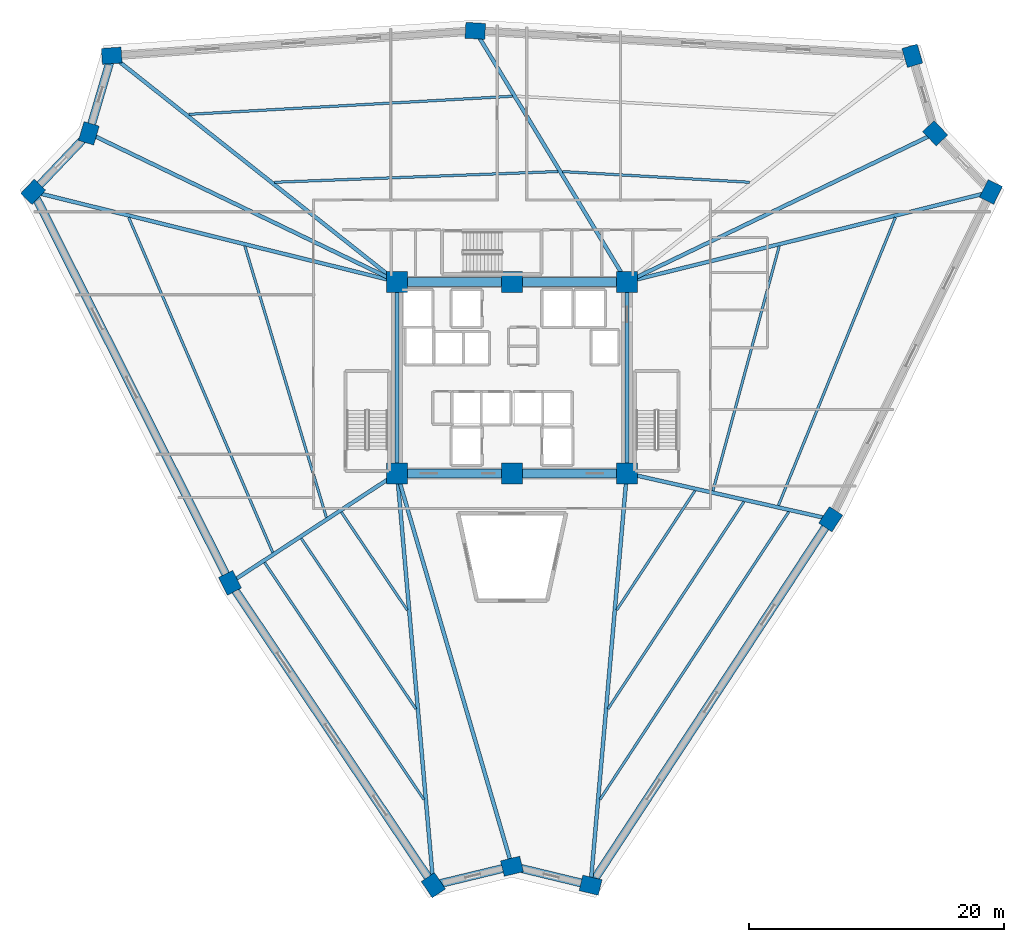
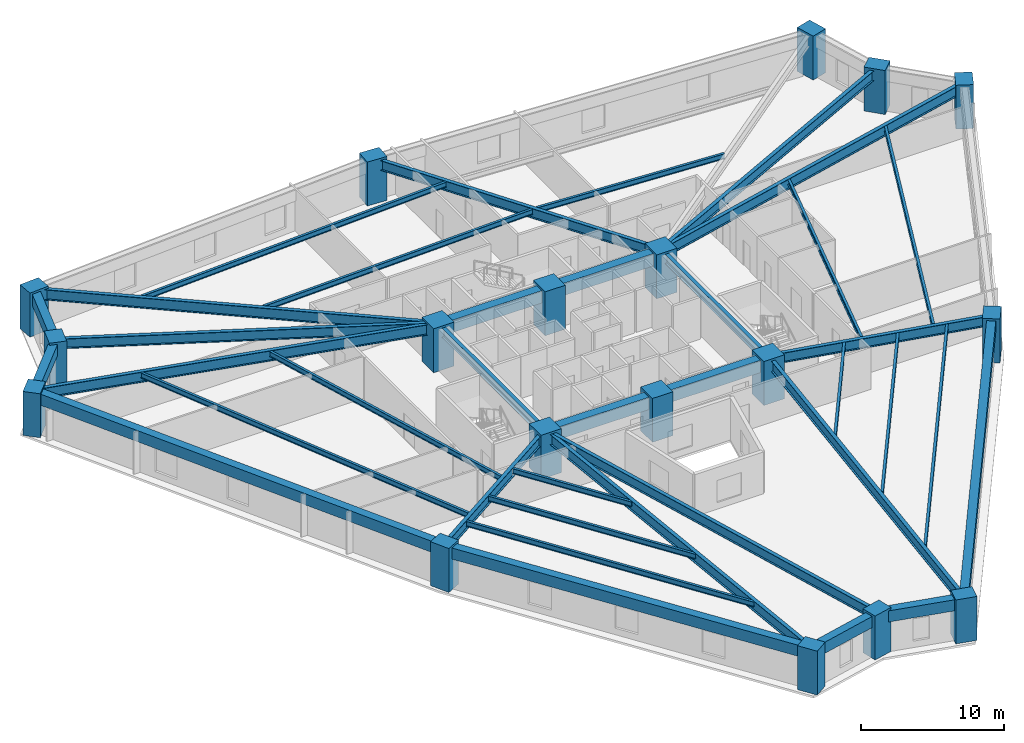
# One storey, part 1 of 8: 37 beams, 18 columns.
"""IFC4 building model written with IfcOpenShell, lengths in metres."""

from ifc_helpers import new_model, si_unit, direction, frame, origin, origin_2d, place, context, subcontext, project, spatial, rectangle, i_section, extrude, source, transform, mapped, material, material_profile, profile_set, type_object, element, save


model = new_model("IFC4")

# Units and contexts
model_context = context("Model", 3, precision=1e-05, world=origin(), true_north=direction((0.0, 1.0)))
body_context = subcontext(model_context, "Body", "Model", "MODEL_VIEW")
ifc_project = project(units=[si_unit("LENGTHUNIT", "METRE"), si_unit("AREAUNIT", "SQUARE_METRE"), si_unit("VOLUMEUNIT", "CUBIC_METRE"), si_unit("PLANEANGLEUNIT", "RADIAN"), si_unit("MASSUNIT", "GRAM", prefix="KILO")], contexts=[model_context])

# Site, building, storey
site_placement = place(None, origin())
site = spatial("IfcSite", under=ifc_project, at=site_placement, CompositionType="ELEMENT")
building_placement = place(site_placement, origin())
building = spatial("IfcBuilding", under=site, at=building_placement, Name="Liaohun Quay Tower", CompositionType="ELEMENT")
storey_placement = place(building_placement, frame((0.0, 0.0, 85.5)))
storey = spatial("IfcBuildingStorey", under=building, at=storey_placement, Name="L22", CompositionType="ELEMENT", Elevation=85.5)

# Columns
ifc_material_1 = material(Name="Concrete C60", Category="concrete")
ifc_material_profile_1 = material_profile(ifc_material_1, rectangle(XDim=1.64990234375, YDim=1.64990234375, at=origin_2d()), Name="RC1650x1650")
ifc_profile_set_1 = profile_set([ifc_material_profile_1], Name="Concrete C60")
column_type_1 = type_object("IfcColumnType", Name="COL-CC-Z1", PredefinedType="COLUMN", material=ifc_profile_set_1)
shared_shape_1 = source(origin(), body_context, "Body", "SweptSolid", [
    extrude(rectangle(XDim=1.64990234375, YDim=1.64990234375, at=origin_2d()), origin(), (0.0, 0.0, 1.0), 3.75),
])
for number, where, z_axis, x_axis, name in (
    (1, (51.0, 46.5, 0.0), (0.0, 0.0, 1.0), (1.0, 0.0, 0.0), "L22 Core Column CC1"),
    (2, (60.0, 46.5, 0.0), (0.0, 0.0, 1.0), (1.0, 0.0, 0.0), "L22 Core Column CC2"),
    (3, (69.0, 46.5, 0.0), (0.0, 0.0, 1.0), (1.0, 0.0, 0.0), "L22 Core Column CC3"),
    (4, (69.0, 61.5, 0.0), (0.0, 0.0, 1.0), (1.0, 0.0, 0.0), "L22 Core Column CC4"),
    (5, (60.0, 61.5, 0.0), (0.0, 0.0, 1.0), (1.0, 0.0, 0.0), "L22 Core Column CC5"),
    (6, (51.0, 61.5, 0.0), (0.0, 0.0, 1.0), (1.0, 0.0, 0.0), "L22 Core Column CC6"),
):
    element("IfcColumn", number, at=place(storey_placement, frame(where, z_axis=z_axis, x_axis=x_axis)), inside=storey, type_object=column_type_1, Name=name, PredefinedType="COLUMN", context=body_context, shape_type="MappedRepresentation", body=[
        mapped(shared_shape_1, transform((0.0, 0.0, 0.0), x_axis=(1.0, 0.0, 0.0), y_axis=(0.0, 1.0, 0.0), z_axis=(0.0, 0.0, 1.0), scale=1.0)),
    ])
ifc_material_profile_2 = material_profile(ifc_material_1, rectangle(XDim=1.550048828125, YDim=1.25, at=origin_2d()), Name="RC1550x1250")
ifc_profile_set_2 = profile_set([ifc_material_profile_2], Name="Concrete C60")
column_type_2 = type_object("IfcColumnType", Name="COL-PIER-Z1", PredefinedType="COLUMN", material=ifc_profile_set_2)
shared_shape_2 = source(origin(), body_context, "Body", "SweptSolid", [
    extrude(rectangle(XDim=1.550048828125, YDim=1.25, at=origin_2d()), origin(), (0.0, 0.0, 1.0), 3.75),
])
for number, where, z_axis, x_axis, name in (
    (7, (53.837890625, 14.22705078125, 0.0), (0.0, 0.0, 1.0), (-0.557889964956, 0.829914927569, 0.0), "L22 Perimeter Pier PC01"),
    (8, (37.908935546875, 37.925048828125, 0.0), (0.0, 0.0, 1.0), (-0.449942579956, 0.893057486807, 0.0), "L22 Perimeter Pier PC02"),
    (9, (22.47900390625, 68.554931640625, 0.0), (0.0, 0.0, 1.0), (0.68936671806, 0.724412539946, 0.0), "L22 Perimeter Pier PC03"),
    (10, (26.844970703125, 73.14208984375, 0.0), (0.0, 0.0, 1.0), (0.282676303383, 0.959215360337, 0.0), "L22 Perimeter Pier PC04"),
    (11, (28.636962890625, 79.221923828125, 0.0), (0.0, 0.0, 1.0), (0.997672392732, 0.068189418384, 0.0), "L22 Perimeter Pier PC05"),
    (12, (57.1240234375, 81.16796875, 0.0), (0.0, 0.0, 1.0), (-0.998381760593, 0.056867038918, 0.0), "L22 Perimeter Pier PC06"),
    (13, (91.364990234375, 79.215087890625, 0.0), (0.0, 0.0, 1.0), (-0.282676303383, 0.959215360337, 0.0), "L22 Perimeter Pier PC07"),
    (14, (93.155029296875, 73.14208984375, 0.0), (0.0, 0.0, 1.0), (-0.68936671806, 0.724412539946, 0.0), "L22 Perimeter Pier PC08"),
    (15, (97.52490234375, 68.550048828125, 0.0), (0.0, 0.0, 1.0), (0.439782427776, 0.898104345953, 0.0), "L22 Perimeter Pier PC09"),
    (16, (84.967041015625, 42.906982421875, 0.0), (0.0, 0.0, 1.0), (0.548439180637, 0.83619044789, 0.0), "L22 Perimeter Pier PC10"),
    (17, (66.155029296875, 14.22900390625, 0.0), (0.0, 0.0, 1.0), (-0.972043021443, 0.234802820391, 0.0), "L22 Perimeter Pier PC11"),
    (18, (60.0, 15.715087890625, 0.0), (0.0, 0.0, 1.0), (0.972043021443, 0.234802820391, 0.0), "L22 Perimeter Pier PC12"),
):
    element("IfcColumn", number, at=place(storey_placement, frame(where, z_axis=z_axis, x_axis=x_axis)), inside=storey, type_object=column_type_2, Name=name, PredefinedType="COLUMN", context=body_context, shape_type="MappedRepresentation", body=[
        mapped(shared_shape_2, transform((0.0, 0.0, 0.0), x_axis=(1.0, 0.0, 0.0), y_axis=(0.0, 1.0, 0.0), z_axis=(0.0, 0.0, 1.0), scale=1.0)),
    ])

# Beams
ifc_material_profile_3 = material_profile(ifc_material_1, rectangle(XDim=0.699951171875, YDim=1.050048828125, at=origin_2d()), Name="RC700x1050")
ifc_profile_set_3 = profile_set([ifc_material_profile_3], Name="Concrete C60")
beam_type_1 = type_object("IfcBeamType", Name="BM-CPL-1", PredefinedType="LINTEL", material=ifc_profile_set_3)
shared_shape_3 = source(origin(), body_context, "Body", "SweptSolid", [
    extrude(rectangle(XDim=0.699951171875, YDim=1.050048828125, at=origin_2d()), origin(), (0.0, 0.0, 1.0), 9.0),
])
for number, where, z_axis, x_axis, name in (
    (19, (51.0, 46.5, 3.044921875), (1.0, 0.0, 0.0), (0.0, 1.0, 0.0), "L22 Core Coupling/Ring Beam CC1-CC2"),
    (20, (60.0, 46.5, 3.044921875), (1.0, 0.0, 0.0), (0.0, 1.0, 0.0), "L22 Core Coupling/Ring Beam CC2-CC3"),
    (21, (69.0, 61.5, 3.044921875), (-1.0, 0.0, 0.0), (0.0, -1.0, 0.0), "L22 Core Coupling/Ring Beam CC4-CC5"),
    (22, (60.0, 61.5, 3.044921875), (-1.0, 0.0, 0.0), (0.0, -1.0, 0.0), "L22 Core Coupling/Ring Beam CC5-CC6"),
):
    element("IfcBeam", number, at=place(storey_placement, frame(where, z_axis=z_axis, x_axis=x_axis)), inside=storey, type_object=beam_type_1, Name=name, PredefinedType="LINTEL", context=body_context, shape_type="MappedRepresentation", body=[
        mapped(shared_shape_3, transform((0.0, 0.0, 0.0), x_axis=(1.0, 0.0, 0.0), y_axis=(0.0, 1.0, 0.0), z_axis=(0.0, 0.0, 1.0), scale=1.0)),
    ])
ifc_material_2 = material(Name="Steel Q355D", Category="steel")
ifc_material_profile_4 = material_profile(ifc_material_2, i_section(OverallWidth=0.300048828125, OverallDepth=0.800048828125, WebThickness=0.013916015625, FlangeThickness=0.02587890625, at=origin_2d()), Name="HN800x300x14x26")
ifc_profile_set_4 = profile_set([ifc_material_profile_4], Name="Steel Q355D")
beam_type_2 = type_object("IfcBeamType", Name="BM-RAD-M1", PredefinedType="BEAM", material=ifc_profile_set_4)
shared_shape_4 = source(origin(), body_context, "Body", "SweptSolid", [
    extrude(i_section(OverallWidth=0.300048828125, OverallDepth=0.800048828125, WebThickness=0.013916015625, FlangeThickness=0.02587890625, at=origin_2d()), origin(), (0.0, 0.0, 1.0), 15.0),
])
for number, where, z_axis, x_axis, name in (
    (23, (69.0, 46.5, 3.169921875), (0.0, 1.0, 0.0), (-1.0, 0.0, 0.0), "L22 Core Coupling/Ring Beam CC3-CC4"),
    (24, (51.0, 61.5, 3.169921875), (0.0, -1.0, 0.0), (1.0, 0.0, 0.0), "L22 Core Coupling/Ring Beam CC6-CC1"),
):
    element("IfcBeam", number, at=place(storey_placement, frame(where, z_axis=z_axis, x_axis=x_axis)), inside=storey, type_object=beam_type_2, Name=name, PredefinedType="BEAM", context=body_context, shape_type="MappedRepresentation", body=[
        mapped(shared_shape_4, transform((0.0, 0.0, 0.0), x_axis=(1.0, 0.0, 0.0), y_axis=(0.0, 1.0, 0.0), z_axis=(0.0, 0.0, 1.0), scale=1.0)),
    ])
ifc_material_3 = material(Name="Steel Q420D", Category="steel")
ifc_material_profile_5 = material_profile(ifc_material_3, i_section(OverallWidth=0.300048828125, OverallDepth=0.89990234375, WebThickness=0.01611328125, FlangeThickness=0.028076171875, at=origin_2d()), Name="HN900x300x16x28")
ifc_profile_set_5 = profile_set([ifc_material_profile_5], Name="Steel Q420D")
beam_type_3 = type_object("IfcBeamType", Name="BM-RAD-H1", PredefinedType="BEAM", material=ifc_profile_set_5)
shared_shape_5 = source(origin(), body_context, "Body", "SweptSolid", [
    extrude(i_section(OverallWidth=0.300048828125, OverallDepth=0.89990234375, WebThickness=0.01611328125, FlangeThickness=0.028076171875, at=origin_2d()), origin(), (0.0, 0.0, 1.0), 32.3974609375),
])
beam_1_placement = place(storey_placement, frame((51.0, 46.5, 3.1201171875), z_axis=(0.087596022997, -0.996156080519, 0.0), x_axis=(0.996156080519, 0.087596022997, 0.0)))
element("IfcBeam", 25, at=beam_1_placement, inside=storey, type_object=beam_type_3, Name="L22 Radial Primary Girder CC1-PC01", PredefinedType="BEAM", context=body_context, shape_type="MappedRepresentation", body=[
    mapped(shared_shape_5, transform((0.0, 0.0, 0.0), x_axis=(1.0, 0.0, 0.0), y_axis=(0.0, 1.0, 0.0), z_axis=(0.0, 0.0, 1.0), scale=1.0)),
])
ifc_material_profile_6 = material_profile(ifc_material_2, i_section(OverallWidth=0.300048828125, OverallDepth=0.85009765625, WebThickness=0.01611328125, FlangeThickness=0.028076171875, at=origin_2d()), Name="HN850x300x16x28")
ifc_profile_set_6 = profile_set([ifc_material_profile_6], Name="Steel Q355D")
beam_type_4 = type_object("IfcBeamType", Name="BM-RAD-H2", PredefinedType="BEAM", material=ifc_profile_set_6)
shared_shape_6 = source(origin(), body_context, "Body", "SweptSolid", [
    extrude(i_section(OverallWidth=0.300048828125, OverallDepth=0.85009765625, WebThickness=0.01611328125, FlangeThickness=0.028076171875, at=origin_2d()), origin(), (0.0, 0.0, 1.0), 15.6494140625),
])
beam_2_placement = place(storey_placement, frame((51.0, 46.5, 3.14501953125), z_axis=(-0.836518335776, -0.547938932647, 0.0), x_axis=(0.547938932647, -0.836518335776, 0.0)))
element("IfcBeam", 26, at=beam_2_placement, inside=storey, type_object=beam_type_4, Name="L22 Radial Primary Girder CC1-PC02", PredefinedType="BEAM", context=body_context, shape_type="MappedRepresentation", body=[
    mapped(shared_shape_6, transform((0.0, 0.0, 0.0), x_axis=(1.0, 0.0, 0.0), y_axis=(0.0, 1.0, 0.0), z_axis=(0.0, 0.0, 1.0), scale=1.0)),
])
shared_shape_7 = source(origin(), body_context, "Body", "SweptSolid", [
    extrude(i_section(OverallWidth=0.300048828125, OverallDepth=0.89990234375, WebThickness=0.01611328125, FlangeThickness=0.028076171875, at=origin_2d()), origin(), (0.0, 0.0, 1.0), 29.380615234375),
])
beam_3_placement = place(storey_placement, frame((51.0, 61.5, 3.1201171875), z_axis=(-0.970742678292, 0.240122161704, 0.0), x_axis=(-0.240122161704, -0.970742678292, 0.0)))
element("IfcBeam", 27, at=beam_3_placement, inside=storey, type_object=beam_type_3, Name="L22 Radial Primary Girder CC6-PC03", PredefinedType="BEAM", context=body_context, shape_type="MappedRepresentation", body=[
    mapped(shared_shape_7, transform((0.0, 0.0, 0.0), x_axis=(1.0, 0.0, 0.0), y_axis=(0.0, 1.0, 0.0), z_axis=(0.0, 0.0, 1.0), scale=1.0)),
])
shared_shape_8 = source(origin(), body_context, "Body", "SweptSolid", [
    extrude(i_section(OverallWidth=0.300048828125, OverallDepth=0.85009765625, WebThickness=0.01611328125, FlangeThickness=0.028076171875, at=origin_2d()), origin(), (0.0, 0.0, 1.0), 26.814208984375),
])
for number, where, z_axis, x_axis, name in (
    (28, (51.0, 61.5, 3.14501953125), (-0.900828270429, 0.434175571854, 0.0), (-0.434175571854, -0.900828270429, 0.0), "L22 Radial Primary Girder CC6-PC04"),
    (29, (69.0, 61.5, 3.14501953125), (0.900828270429, 0.434175571854, 0.0), (-0.434175571854, 0.900828270429, 0.0), "L22 Radial Primary Girder CC4-PC08"),
):
    element("IfcBeam", number, at=place(storey_placement, frame(where, z_axis=z_axis, x_axis=x_axis)), inside=storey, type_object=beam_type_4, Name=name, PredefinedType="BEAM", context=body_context, shape_type="MappedRepresentation", body=[
        mapped(shared_shape_8, transform((0.0, 0.0, 0.0), x_axis=(1.0, 0.0, 0.0), y_axis=(0.0, 1.0, 0.0), z_axis=(0.0, 0.0, 1.0), scale=1.0)),
    ])
shared_shape_9 = source(origin(), body_context, "Body", "SweptSolid", [
    extrude(i_section(OverallWidth=0.300048828125, OverallDepth=0.89990234375, WebThickness=0.01611328125, FlangeThickness=0.028076171875, at=origin_2d()), origin(), (0.0, 0.0, 1.0), 28.53369140625),
])
beam_4_placement = place(storey_placement, frame((51.0, 61.5, 3.1201171875), z_axis=(-0.783741240078, 0.621087488685, 0.0), x_axis=(-0.621087488685, -0.783741240078, 0.0)))
element("IfcBeam", 30, at=beam_4_placement, inside=storey, type_object=beam_type_3, Name="L22 Radial Primary Girder CC6-PC05", PredefinedType="BEAM", context=body_context, shape_type="MappedRepresentation", body=[
    mapped(shared_shape_9, transform((0.0, 0.0, 0.0), x_axis=(1.0, 0.0, 0.0), y_axis=(0.0, 1.0, 0.0), z_axis=(0.0, 0.0, 1.0), scale=1.0)),
])
shared_shape_10 = source(origin(), body_context, "Body", "SweptSolid", [
    extrude(i_section(OverallWidth=0.300048828125, OverallDepth=0.85009765625, WebThickness=0.01611328125, FlangeThickness=0.028076171875, at=origin_2d()), origin(), (0.0, 0.0, 1.0), 22.975341796875),
])
beam_5_placement = place(storey_placement, frame((69.0, 61.5, 3.14501953125), z_axis=(-0.516900248141, 0.856045637494, 0.0), x_axis=(-0.856045637494, -0.516900248141, 0.0)))
element("IfcBeam", 31, at=beam_5_placement, inside=storey, type_object=beam_type_4, Name="L22 Radial Primary Girder CC4-PC06", PredefinedType="BEAM", context=body_context, shape_type="MappedRepresentation", body=[
    mapped(shared_shape_10, transform((0.0, 0.0, 0.0), x_axis=(1.0, 0.0, 0.0), y_axis=(0.0, 1.0, 0.0), z_axis=(0.0, 0.0, 1.0), scale=1.0)),
])
shared_shape_11 = source(origin(), body_context, "Body", "SweptSolid", [
    extrude(i_section(OverallWidth=0.300048828125, OverallDepth=0.89990234375, WebThickness=0.01611328125, FlangeThickness=0.028076171875, at=origin_2d()), origin(), (0.0, 0.0, 1.0), 29.38330078125),
])
beam_6_placement = place(storey_placement, frame((69.0, 61.5, 3.1201171875), z_axis=(0.970789060717, 0.239934573566, 0.0), x_axis=(-0.239934573566, 0.970789060717, 0.0)))
element("IfcBeam", 32, at=beam_6_placement, inside=storey, type_object=beam_type_3, Name="L22 Radial Primary Girder CC4-PC09", PredefinedType="BEAM", context=body_context, shape_type="MappedRepresentation", body=[
    mapped(shared_shape_11, transform((0.0, 0.0, 0.0), x_axis=(1.0, 0.0, 0.0), y_axis=(0.0, 1.0, 0.0), z_axis=(0.0, 0.0, 1.0), scale=1.0)),
])
shared_shape_12 = source(origin(), body_context, "Body", "SweptSolid", [
    extrude(i_section(OverallWidth=0.300048828125, OverallDepth=0.85009765625, WebThickness=0.01611328125, FlangeThickness=0.028076171875, at=origin_2d()), origin(), (0.0, 0.0, 1.0), 16.3662109375),
])
beam_7_placement = place(storey_placement, frame((69.0, 46.5, 3.14501953125), z_axis=(0.975604085259, -0.21953739733, 0.0), x_axis=(0.21953739733, 0.975604085259, 0.0)))
element("IfcBeam", 33, at=beam_7_placement, inside=storey, type_object=beam_type_4, Name="L22 Radial Primary Girder CC3-PC10", PredefinedType="BEAM", context=body_context, shape_type="MappedRepresentation", body=[
    mapped(shared_shape_12, transform((0.0, 0.0, 0.0), x_axis=(1.0, 0.0, 0.0), y_axis=(0.0, 1.0, 0.0), z_axis=(0.0, 0.0, 1.0), scale=1.0)),
])
shared_shape_13 = source(origin(), body_context, "Body", "SweptSolid", [
    extrude(i_section(OverallWidth=0.300048828125, OverallDepth=0.89990234375, WebThickness=0.01611328125, FlangeThickness=0.028076171875, at=origin_2d()), origin(), (0.0, 0.0, 1.0), 32.396240234375),
])
beam_8_placement = place(storey_placement, frame((69.0, 46.5, 3.1201171875), z_axis=(-0.087818151499, -0.996136522906, 0.0), x_axis=(0.996136522906, -0.087818151499, 0.0)))
element("IfcBeam", 34, at=beam_8_placement, inside=storey, type_object=beam_type_3, Name="L22 Radial Primary Girder CC3-PC11", PredefinedType="BEAM", context=body_context, shape_type="MappedRepresentation", body=[
    mapped(shared_shape_13, transform((0.0, 0.0, 0.0), x_axis=(1.0, 0.0, 0.0), y_axis=(0.0, 1.0, 0.0), z_axis=(0.0, 0.0, 1.0), scale=1.0)),
])
shared_shape_14 = source(origin(), body_context, "Body", "SweptSolid", [
    extrude(i_section(OverallWidth=0.300048828125, OverallDepth=0.85009765625, WebThickness=0.01611328125, FlangeThickness=0.028076171875, at=origin_2d()), origin(), (0.0, 0.0, 1.0), 32.073486328125),
])
beam_9_placement = place(storey_placement, frame((51.0, 46.5, 3.14501953125), z_axis=(0.280605291791, -0.959823249468, 0.0), x_axis=(0.959823249468, 0.280605291791, 0.0)))
element("IfcBeam", 35, at=beam_9_placement, inside=storey, type_object=beam_type_4, Name="L22 Radial Primary Girder CC1-PC12", PredefinedType="BEAM", context=body_context, shape_type="MappedRepresentation", body=[
    mapped(shared_shape_14, transform((0.0, 0.0, 0.0), x_axis=(1.0, 0.0, 0.0), y_axis=(0.0, 1.0, 0.0), z_axis=(0.0, 0.0, 1.0), scale=1.0)),
])
ifc_material_profile_7 = material_profile(ifc_material_2, i_section(OverallWidth=0.199951171875, OverallDepth=0.449951171875, WebThickness=0.009033203125, FlangeThickness=0.013916015625, at=origin_2d()), Name="HN450x200x9x14")
ifc_profile_set_7 = profile_set([ifc_material_profile_7], Name="Steel Q355D")
beam_type_5 = type_object("IfcBeamType", Name="BM-SEC-J1", PredefinedType="JOIST", material=ifc_profile_set_7)
shared_shape_15 = source(origin(), body_context, "Body", "SweptSolid", [
    extrude(i_section(OverallWidth=0.199951171875, OverallDepth=0.449951171875, WebThickness=0.009033203125, FlangeThickness=0.013916015625, at=origin_2d()), origin(), (0.0, 0.0, 1.0), 9.247802734375),
])
beam_10_placement = place(storey_placement, frame((51.7919921875, 35.784912109375, 3.344970703125), z_axis=(-0.557858096959, 0.82993634916, 0.0), x_axis=(-0.82993634916, -0.557858096959, 0.0)))
element("IfcBeam", 36, at=beam_10_placement, inside=storey, type_object=beam_type_5, Name="L22 Wing Secondary Floor Joist SJ-01", PredefinedType="JOIST", context=body_context, shape_type="MappedRepresentation", body=[
    mapped(shared_shape_15, transform((0.0, 0.0, 0.0), x_axis=(1.0, 0.0, 0.0), y_axis=(0.0, 1.0, 0.0), z_axis=(0.0, 0.0, 1.0), scale=1.0)),
])
shared_shape_16 = source(origin(), body_context, "Body", "SweptSolid", [
    extrude(i_section(OverallWidth=0.199951171875, OverallDepth=0.449951171875, WebThickness=0.009033203125, FlangeThickness=0.013916015625, at=origin_2d()), origin(), (0.0, 0.0, 1.0), 16.10107421875),
])
beam_11_placement = place(storey_placement, frame((52.472900390625, 28.0390625, 3.344970703125), z_axis=(-0.557845454064, 0.829944847192, 0.0), x_axis=(-0.829944847192, -0.557845454064, 0.0)))
element("IfcBeam", 37, at=beam_11_placement, inside=storey, type_object=beam_type_5, Name="L22 Wing Secondary Floor Joist SJ-02", PredefinedType="JOIST", context=body_context, shape_type="MappedRepresentation", body=[
    mapped(shared_shape_16, transform((0.0, 0.0, 0.0), x_axis=(1.0, 0.0, 0.0), y_axis=(0.0, 1.0, 0.0), z_axis=(0.0, 0.0, 1.0), scale=1.0)),
])
shared_shape_17 = source(origin(), body_context, "Body", "SweptSolid", [
    extrude(i_section(OverallWidth=0.199951171875, OverallDepth=0.449951171875, WebThickness=0.009033203125, FlangeThickness=0.013916015625, at=origin_2d()), origin(), (0.0, 0.0, 1.0), 22.383056640625),
])
beam_12_placement = place(storey_placement, frame((53.096923828125, 20.93896484375, 3.344970703125), z_axis=(-0.557822488475, 0.829960282997, 0.0), x_axis=(-0.829960282997, -0.557822488475, 0.0)))
element("IfcBeam", 38, at=beam_12_placement, inside=storey, type_object=beam_type_5, Name="L22 Wing Secondary Floor Joist SJ-03", PredefinedType="JOIST", context=body_context, shape_type="MappedRepresentation", body=[
    mapped(shared_shape_17, transform((0.0, 0.0, 0.0), x_axis=(1.0, 0.0, 0.0), y_axis=(0.0, 1.0, 0.0), z_axis=(0.0, 0.0, 1.0), scale=1.0)),
])
shared_shape_18 = source(origin(), body_context, "Body", "SweptSolid", [
    extrude(i_section(OverallWidth=0.199951171875, OverallDepth=0.449951171875, WebThickness=0.009033203125, FlangeThickness=0.013916015625, at=origin_2d()), origin(), (0.0, 0.0, 1.0), 22.186767578125),
])
beam_13_placement = place(storey_placement, frame((45.45703125, 43.048095703125, 3.344970703125), z_axis=(-0.287829396711, 0.957681699934, 0.0), x_axis=(-0.957681699934, -0.287829396711, 0.0)))
element("IfcBeam", 39, at=beam_13_placement, inside=storey, type_object=beam_type_5, Name="L22 Wing Secondary Floor Joist SJ-04", PredefinedType="JOIST", context=body_context, shape_type="MappedRepresentation", body=[
    mapped(shared_shape_18, transform((0.0, 0.0, 0.0), x_axis=(1.0, 0.0, 0.0), y_axis=(0.0, 1.0, 0.0), z_axis=(0.0, 0.0, 1.0), scale=1.0)),
])
shared_shape_19 = source(origin(), body_context, "Body", "SweptSolid", [
    extrude(i_section(OverallWidth=0.199951171875, OverallDepth=0.449951171875, WebThickness=0.009033203125, FlangeThickness=0.013916015625, at=origin_2d()), origin(), (0.0, 0.0, 1.0), 28.576416015625),
])
beam_14_placement = place(storey_placement, frame((41.2529296875, 40.2939453125, 3.344970703125), z_axis=(-0.394869767762, 0.918737104131, 0.0), x_axis=(-0.918737104131, -0.394869767762, 0.0)))
element("IfcBeam", 40, at=beam_14_placement, inside=storey, type_object=beam_type_5, Name="L22 Wing Secondary Floor Joist SJ-05", PredefinedType="JOIST", context=body_context, shape_type="MappedRepresentation", body=[
    mapped(shared_shape_19, transform((0.0, 0.0, 0.0), x_axis=(1.0, 0.0, 0.0), y_axis=(0.0, 1.0, 0.0), z_axis=(0.0, 0.0, 1.0), scale=1.0)),
])
shared_shape_20 = source(origin(), body_context, "Body", "SweptSolid", [
    extrude(i_section(OverallWidth=0.199951171875, OverallDepth=0.449951171875, WebThickness=0.009033203125, FlangeThickness=0.013916015625, at=origin_2d()), origin(), (0.0, 0.0, 1.0), 22.227783203125),
])
beam_15_placement = place(storey_placement, frame((41.39111328125, 69.305908203125, 3.344970703125), z_axis=(0.999283873274, 0.037838348466, 0.0), x_axis=(-0.037838348466, 0.999283873274, 0.0)))
element("IfcBeam", 41, at=beam_15_placement, inside=storey, type_object=beam_type_5, Name="L22 Wing Secondary Floor Joist SJ-06", PredefinedType="JOIST", context=body_context, shape_type="MappedRepresentation", body=[
    mapped(shared_shape_20, transform((0.0, 0.0, 0.0), x_axis=(1.0, 0.0, 0.0), y_axis=(0.0, 1.0, 0.0), z_axis=(0.0, 0.0, 1.0), scale=1.0)),
])
shared_shape_21 = source(origin(), body_context, "Body", "SweptSolid", [
    extrude(i_section(OverallWidth=0.199951171875, OverallDepth=0.449951171875, WebThickness=0.009033203125, FlangeThickness=0.013916015625, at=origin_2d()), origin(), (0.0, 0.0, 1.0), 25.404541015625),
])
beam_16_placement = place(storey_placement, frame((34.677001953125, 74.626953125, 3.344970703125), z_axis=(0.998441102826, 0.055815447569, 0.0), x_axis=(-0.055815447569, 0.998441102826, 0.0)))
element("IfcBeam", 42, at=beam_16_placement, inside=storey, type_object=beam_type_5, Name="L22 Wing Secondary Floor Joist SJ-07", PredefinedType="JOIST", context=body_context, shape_type="MappedRepresentation", body=[
    mapped(shared_shape_21, transform((0.0, 0.0, 0.0), x_axis=(1.0, 0.0, 0.0), y_axis=(0.0, 1.0, 0.0), z_axis=(0.0, 0.0, 1.0), scale=1.0)),
])
shared_shape_22 = source(origin(), body_context, "Body", "SweptSolid", [
    extrude(i_section(OverallWidth=0.199951171875, OverallDepth=0.449951171875, WebThickness=0.009033203125, FlangeThickness=0.013916015625, at=origin_2d()), origin(), (0.0, 0.0, 1.0), 14.682861328125),
])
beam_17_placement = place(storey_placement, frame((63.9560546875, 70.14404296875, 3.344970703125), z_axis=(0.998373255033, -0.057016169937, 0.0), x_axis=(0.057016169937, 0.998373255033, 0.0)))
element("IfcBeam", 43, at=beam_17_placement, inside=storey, type_object=beam_type_5, Name="L22 Wing Secondary Floor Joist SJ-08", PredefinedType="JOIST", context=body_context, shape_type="MappedRepresentation", body=[
    mapped(shared_shape_22, transform((0.0, 0.0, 0.0), x_axis=(1.0, 0.0, 0.0), y_axis=(0.0, 1.0, 0.0), z_axis=(0.0, 0.0, 1.0), scale=1.0)),
])
shared_shape_23 = source(origin(), body_context, "Body", "SweptSolid", [
    extrude(i_section(OverallWidth=0.199951171875, OverallDepth=0.449951171875, WebThickness=0.009033203125, FlangeThickness=0.013916015625, at=origin_2d()), origin(), (0.0, 0.0, 1.0), 19.849609375),
])
beam_18_placement = place(storey_placement, frame((80.93603515625, 64.294921875, 3.344970703125), z_axis=(-0.261511204359, -0.96520044032, 0.0), x_axis=(0.96520044032, -0.261511204359, 0.0)))
element("IfcBeam", 44, at=beam_18_placement, inside=storey, type_object=beam_type_5, Name="L22 Wing Secondary Floor Joist SJ-10", PredefinedType="JOIST", context=body_context, shape_type="MappedRepresentation", body=[
    mapped(shared_shape_23, transform((0.0, 0.0, 0.0), x_axis=(1.0, 0.0, 0.0), y_axis=(0.0, 1.0, 0.0), z_axis=(0.0, 0.0, 1.0), scale=1.0)),
])
shared_shape_24 = source(origin(), body_context, "Body", "SweptSolid", [
    extrude(i_section(OverallWidth=0.199951171875, OverallDepth=0.449951171875, WebThickness=0.009033203125, FlangeThickness=0.013916015625, at=origin_2d()), origin(), (0.0, 0.0, 1.0), 24.353759765625),
])
beam_19_placement = place(storey_placement, frame((90.0390625, 66.544921875, 3.344970703125), z_axis=(-0.376370055654, -0.926469417308, 0.0), x_axis=(0.926469417308, -0.376370055654, 0.0)))
element("IfcBeam", 45, at=beam_19_placement, inside=storey, type_object=beam_type_5, Name="L22 Wing Secondary Floor Joist SJ-11", PredefinedType="JOIST", context=body_context, shape_type="MappedRepresentation", body=[
    mapped(shared_shape_24, transform((0.0, 0.0, 0.0), x_axis=(1.0, 0.0, 0.0), y_axis=(0.0, 1.0, 0.0), z_axis=(0.0, 0.0, 1.0), scale=1.0)),
])
shared_shape_25 = source(origin(), body_context, "Body", "SweptSolid", [
    extrude(i_section(OverallWidth=0.199951171875, OverallDepth=0.449951171875, WebThickness=0.009033203125, FlangeThickness=0.013916015625, at=origin_2d()), origin(), (0.0, 0.0, 1.0), 11.183349609375),
])
beam_20_placement = place(storey_placement, frame((74.341064453125, 45.14404296875, 3.344970703125), z_axis=(-0.548493349902, -0.836154916934, 0.0), x_axis=(0.836154916934, -0.548493349902, 0.0)))
element("IfcBeam", 46, at=beam_20_placement, inside=storey, type_object=beam_type_5, Name="L22 Wing Secondary Floor Joist SJ-12", PredefinedType="JOIST", context=body_context, shape_type="MappedRepresentation", body=[
    mapped(shared_shape_25, transform((0.0, 0.0, 0.0), x_axis=(1.0, 0.0, 0.0), y_axis=(0.0, 1.0, 0.0), z_axis=(0.0, 0.0, 1.0), scale=1.0)),
])
shared_shape_26 = source(origin(), body_context, "Body", "SweptSolid", [
    extrude(i_section(OverallWidth=0.199951171875, OverallDepth=0.449951171875, WebThickness=0.009033203125, FlangeThickness=0.013916015625, at=origin_2d()), origin(), (0.0, 0.0, 1.0), 19.4150390625),
])
beam_21_placement = place(storey_placement, frame((78.173095703125, 44.281982421875, 3.344970703125), z_axis=(-0.548500967772, -0.836149919783, 0.0), x_axis=(0.836149919783, -0.548500967772, 0.0)))
element("IfcBeam", 47, at=beam_21_placement, inside=storey, type_object=beam_type_5, Name="L22 Wing Secondary Floor Joist SJ-13", PredefinedType="JOIST", context=body_context, shape_type="MappedRepresentation", body=[
    mapped(shared_shape_26, transform((0.0, 0.0, 0.0), x_axis=(1.0, 0.0, 0.0), y_axis=(0.0, 1.0, 0.0), z_axis=(0.0, 0.0, 1.0), scale=1.0)),
])
shared_shape_27 = source(origin(), body_context, "Body", "SweptSolid", [
    extrude(i_section(OverallWidth=0.199951171875, OverallDepth=0.449951171875, WebThickness=0.009033203125, FlangeThickness=0.013916015625, at=origin_2d()), origin(), (0.0, 0.0, 1.0), 26.96142578125),
])
beam_22_placement = place(storey_placement, frame((81.68603515625, 43.491943359375, 3.344970703125), z_axis=(-0.548491076155, -0.836156408442, 0.0), x_axis=(0.836156408442, -0.548491076155, 0.0)))
element("IfcBeam", 48, at=beam_22_placement, inside=storey, type_object=beam_type_5, Name="L22 Wing Secondary Floor Joist SJ-14", PredefinedType="JOIST", context=body_context, shape_type="MappedRepresentation", body=[
    mapped(shared_shape_27, transform((0.0, 0.0, 0.0), x_axis=(1.0, 0.0, 0.0), y_axis=(0.0, 1.0, 0.0), z_axis=(0.0, 0.0, 1.0), scale=1.0)),
])
ifc_material_4 = material(Name="Precast concrete C55", Category="concrete")
ifc_material_profile_8 = material_profile(ifc_material_4, rectangle(XDim=0.64990234375, YDim=0.949951171875, at=origin_2d()), Name="RC650x950")
ifc_profile_set_8 = profile_set([ifc_material_profile_8], Name="Precast concrete C55")
beam_type_6 = type_object("IfcBeamType", Name="BM-SPD-Z1", PredefinedType="SPANDREL", material=ifc_profile_set_8)
shared_shape_28 = source(origin(), body_context, "Body", "SweptSolid", [
    extrude(rectangle(XDim=0.64990234375, YDim=0.949951171875, at=origin_2d()), origin(), (0.0, 0.0, 1.0), 28.553955078125),
])
beam_23_placement = place(storey_placement, frame((53.837890625, 14.22705078125, 3.094970703125), z_axis=(-0.557855153523, 0.829938327642, 0.0), x_axis=(-0.829938327642, -0.557855153523, 0.0)))
element("IfcBeam", 49, at=beam_23_placement, inside=storey, type_object=beam_type_6, Name="L22 Precast Spandrel Beam PC01-PC02", PredefinedType="SPANDREL", context=body_context, shape_type="MappedRepresentation", body=[
    mapped(shared_shape_28, transform((0.0, 0.0, 0.0), x_axis=(1.0, 0.0, 0.0), y_axis=(0.0, 1.0, 0.0), z_axis=(0.0, 0.0, 1.0), scale=1.0)),
])
shared_shape_29 = source(origin(), body_context, "Body", "SweptSolid", [
    extrude(rectangle(XDim=0.64990234375, YDim=0.949951171875, at=origin_2d()), origin(), (0.0, 0.0, 1.0), 34.296875),
])
beam_24_placement = place(storey_placement, frame((37.908935546875, 37.925048828125, 3.094970703125), z_axis=(-0.44989382051, 0.893082051251, 0.0), x_axis=(-0.893082051251, -0.44989382051, 0.0)))
element("IfcBeam", 50, at=beam_24_placement, inside=storey, type_object=beam_type_6, Name="L22 Precast Spandrel Beam PC02-PC03", PredefinedType="SPANDREL", context=body_context, shape_type="MappedRepresentation", body=[
    mapped(shared_shape_29, transform((0.0, 0.0, 0.0), x_axis=(1.0, 0.0, 0.0), y_axis=(0.0, 1.0, 0.0), z_axis=(0.0, 0.0, 1.0), scale=1.0)),
])
shared_shape_30 = source(origin(), body_context, "Body", "SweptSolid", [
    extrude(rectangle(XDim=0.64990234375, YDim=0.949951171875, at=origin_2d()), origin(), (0.0, 0.0, 1.0), 6.332763671875),
])
beam_25_placement = place(storey_placement, frame((22.47900390625, 68.554931640625, 3.094970703125), z_axis=(0.68942698867, 0.724355180346, 0.0), x_axis=(-0.724355180346, 0.68942698867, 0.0)))
element("IfcBeam", 51, at=beam_25_placement, inside=storey, type_object=beam_type_6, Name="L22 Precast Spandrel Beam PC03-PC04", PredefinedType="SPANDREL", context=body_context, shape_type="MappedRepresentation", body=[
    mapped(shared_shape_30, transform((0.0, 0.0, 0.0), x_axis=(1.0, 0.0, 0.0), y_axis=(0.0, 1.0, 0.0), z_axis=(0.0, 0.0, 1.0), scale=1.0)),
])
shared_shape_31 = source(origin(), body_context, "Body", "SweptSolid", [
    extrude(rectangle(XDim=0.64990234375, YDim=0.949951171875, at=origin_2d()), origin(), (0.0, 0.0, 1.0), 6.33837890625),
])
beam_26_placement = place(storey_placement, frame((26.844970703125, 73.14208984375, 3.094970703125), z_axis=(0.282718893772, 0.95920280812, 0.0), x_axis=(-0.95920280812, 0.282718893772, 0.0)))
element("IfcBeam", 52, at=beam_26_placement, inside=storey, type_object=beam_type_6, Name="L22 Precast Spandrel Beam PC04-PC05", PredefinedType="SPANDREL", context=body_context, shape_type="MappedRepresentation", body=[
    mapped(shared_shape_31, transform((0.0, 0.0, 0.0), x_axis=(1.0, 0.0, 0.0), y_axis=(0.0, 1.0, 0.0), z_axis=(0.0, 0.0, 1.0), scale=1.0)),
])
shared_shape_32 = source(origin(), body_context, "Body", "SweptSolid", [
    extrude(rectangle(XDim=0.64990234375, YDim=0.949951171875, at=origin_2d()), origin(), (0.0, 0.0, 1.0), 34.297607421875),
])
beam_27_placement = place(storey_placement, frame((84.967041015625, 42.906982421875, 3.094970703125), z_axis=(-0.548495192784, -0.836153708054, 0.0), x_axis=(0.836153708054, -0.548495192784, 0.0)))
element("IfcBeam", 53, at=beam_27_placement, inside=storey, type_object=beam_type_6, Name="L22 Precast Spandrel Beam PC10-PC11", PredefinedType="SPANDREL", context=body_context, shape_type="MappedRepresentation", body=[
    mapped(shared_shape_32, transform((0.0, 0.0, 0.0), x_axis=(1.0, 0.0, 0.0), y_axis=(0.0, 1.0, 0.0), z_axis=(0.0, 0.0, 1.0), scale=1.0)),
])
shared_shape_33 = source(origin(), body_context, "Body", "SweptSolid", [
    extrude(rectangle(XDim=0.64990234375, YDim=0.949951171875, at=origin_2d()), origin(), (0.0, 0.0, 1.0), 6.331787109375),
])
beam_28_placement = place(storey_placement, frame((66.155029296875, 14.22900390625, 3.094970703125), z_axis=(-0.972068256908, 0.234698325326, 0.0), x_axis=(-0.234698325326, -0.972068256908, 0.0)))
element("IfcBeam", 54, at=beam_28_placement, inside=storey, type_object=beam_type_6, Name="L22 Precast Spandrel Beam PC11-PC12", PredefinedType="SPANDREL", context=body_context, shape_type="MappedRepresentation", body=[
    mapped(shared_shape_33, transform((0.0, 0.0, 0.0), x_axis=(1.0, 0.0, 0.0), y_axis=(0.0, 1.0, 0.0), z_axis=(0.0, 0.0, 1.0), scale=1.0)),
])
shared_shape_34 = source(origin(), body_context, "Body", "SweptSolid", [
    extrude(rectangle(XDim=0.64990234375, YDim=0.949951171875, at=origin_2d()), origin(), (0.0, 0.0, 1.0), 6.339111328125),
])
beam_29_placement = place(storey_placement, frame((60.0, 15.715087890625, 3.094970703125), z_axis=(-0.972059485876, -0.234734650016, 0.0), x_axis=(0.234734650016, -0.972059485876, 0.0)))
element("IfcBeam", 55, at=beam_29_placement, inside=storey, type_object=beam_type_6, Name="L22 Precast Spandrel Beam PC12-PC01", PredefinedType="SPANDREL", context=body_context, shape_type="MappedRepresentation", body=[
    mapped(shared_shape_34, transform((0.0, 0.0, 0.0), x_axis=(1.0, 0.0, 0.0), y_axis=(0.0, 1.0, 0.0), z_axis=(0.0, 0.0, 1.0), scale=1.0)),
])

save(model, "model.ifc")
